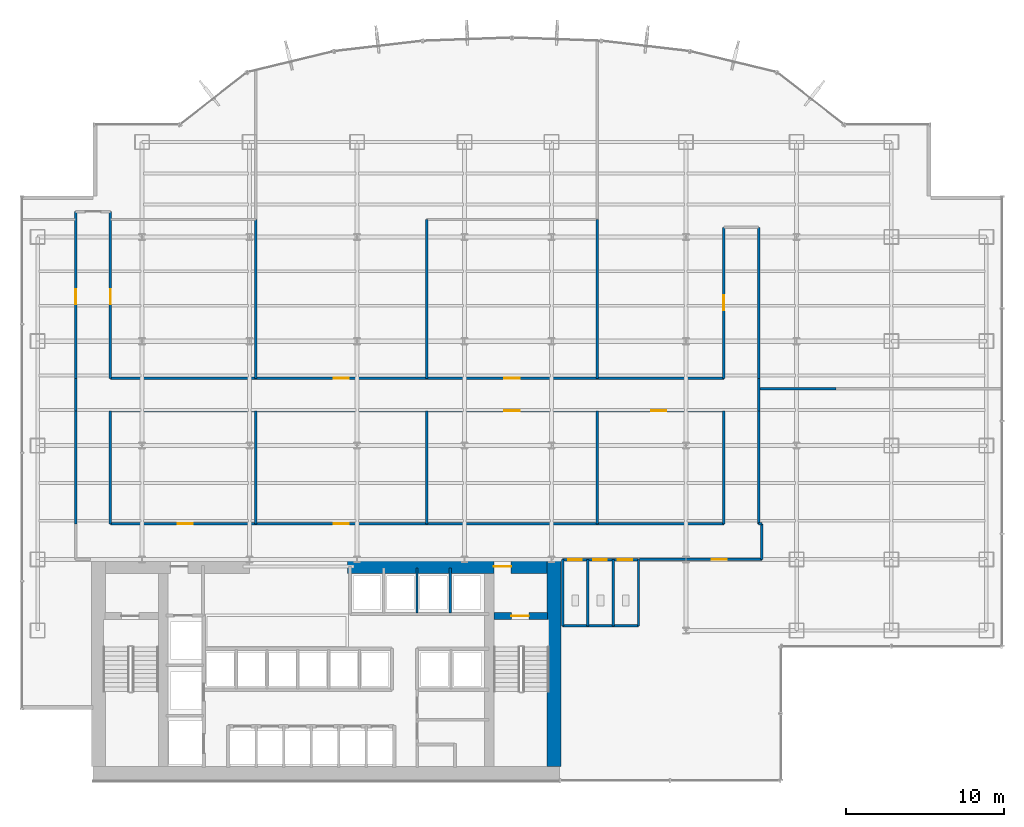
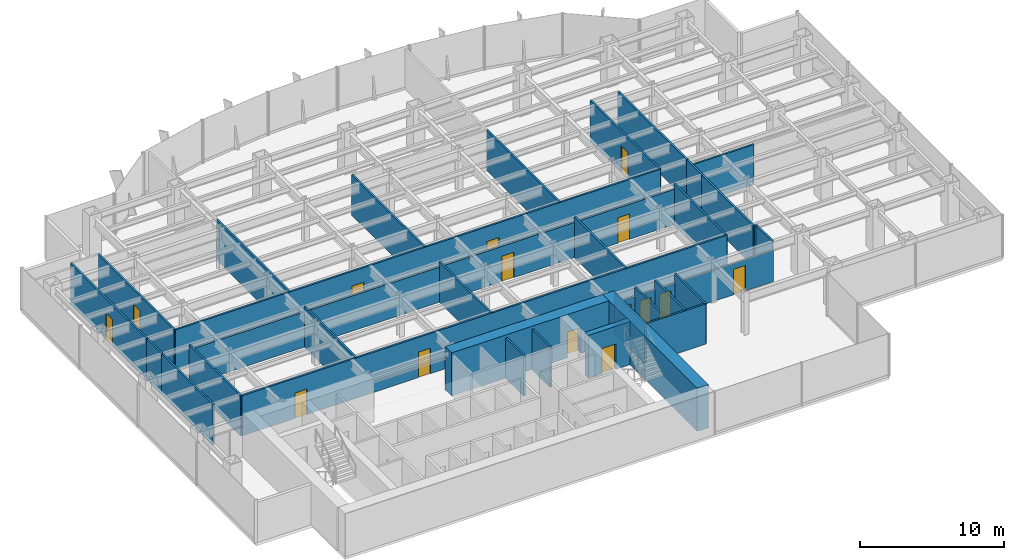
# One storey, part 18 of 22: 34 walls, 15 doors, 15 openings.
"""IFC4 building model written with IfcOpenShell, lengths in metres."""

from ifc_helpers import new_model, si_unit, derived_unit, direction, frame, frame_2d, origin, place, context, subcontext, project, spatial, rectangle, extrude, source, transform, mapped, material, layer, layer_set, type_object, element, fill, save


model = new_model("IFC4")

# Units and contexts
model_context = context("Model", 3, precision=1e-05, world=origin(), true_north=direction((0.0, 1.0)))
body_context = subcontext(model_context, "Body", "Model", "MODEL_VIEW")
ifc_project = project(units=[si_unit("LENGTHUNIT", "METRE"), si_unit("AREAUNIT", "SQUARE_METRE"), si_unit("VOLUMEUNIT", "CUBIC_METRE"), si_unit("PLANEANGLEUNIT", "RADIAN"), si_unit("MASSUNIT", "GRAM", prefix="KILO"), derived_unit("THERMALTRANSMITTANCEUNIT", [(si_unit("POWERUNIT", "WATT"), 1), (si_unit("LENGTHUNIT", "METRE"), -2), (si_unit("THERMODYNAMICTEMPERATUREUNIT", "KELVIN"), -1)])], contexts=[model_context])

# Site, building, storey
site_placement = place(None, origin())
site = spatial("IfcSite", under=ifc_project, at=site_placement, CompositionType="ELEMENT")
building_placement = place(site_placement, origin())
building = spatial("IfcBuilding", under=site, at=building_placement, Name="Skarnbrae Concourse Arena and Tower", CompositionType="ELEMENT")
storey_placement = place(building_placement, frame((0.0, 0.0, 32.5)))
storey = spatial("IfcBuildingStorey", under=building, at=storey_placement, Name="L06", CompositionType="ELEMENT", Elevation=32.5)

# Wall
ifc_material_1 = material(Name="Concrete 70 MPa (C70/85)", Category="concrete")
ifc_layer_1 = layer(ifc_material_1, 0.89990234375)
ifc_layer_set_1 = layer_set([ifc_layer_1], Name="Concrete 70 MPa (C70/85)")
wall_type_1 = type_object("IfcWallType", Name="WALL-CORE-900-C70", PredefinedType="SHEAR", material=ifc_layer_set_1)
shared_shape_1 = source(origin(), body_context, "Body", "SweptSolid", [
    extrude(rectangle(XDim=13.10009765625, YDim=0.89990234375, at=frame_2d((6.550048828125, 0.0))), origin(), (0.0, 0.0, 1.0), 3.64990234375),
])
wall_1_placement = place(storey_placement, frame((33.64990234375, 0.89990234375, 0.0), z_axis=(0.0, 0.0, 1.0), x_axis=(0.0, 1.0, 0.0)))
element("IfcWall", 1, at=wall_1_placement, inside=storey, type_object=wall_type_1, Name="L06 Rear core shear wall CW-E", PredefinedType="SHEAR", context=body_context, shape_type="MappedRepresentation", body=[
    mapped(shared_shape_1, transform((0.0, 0.0, 0.0))),
])

# Wall, opening, door
shared_shape_2 = source(origin(), body_context, "Body", "SweptSolid", [
    extrude(rectangle(XDim=12.599853515625, YDim=0.89990234375, at=frame_2d((6.2998046875, 0.0))), origin(), (0.0, 0.0, 1.0), 3.64990234375),
])
wall_2_placement = place(storey_placement, frame((20.60009765625, 13.550048828125, 0.0), z_axis=(0.0, 0.0, 1.0), x_axis=(1.0, 0.0, 0.0)))
wall_2 = element("IfcWall", 2, at=wall_2_placement, inside=storey, type_object=wall_type_1, Name="L06 Rear core shear wall CW-NE", PredefinedType="SHEAR", context=body_context, shape_type="MappedRepresentation", body=[
    mapped(shared_shape_2, transform((0.0, 0.0, 0.0))),
])
opening_1_placement = place(wall_2_placement, frame((9.25, 0.0, 0.0)))
opening_1 = element("IfcOpeningElement", 3, at=opening_1_placement, cuts=wall_2, Name="Opening DT-03", PredefinedType="OPENING", context=body_context, shape_type="SweptSolid", body=[
    extrude(rectangle(XDim=1.10009765625, YDim=2.14990234375, at=frame_2d((0.550048828125, 1.074951171875))), frame((0.0, 0.4599609375, 0.0), z_axis=(0.0, -1.0, 0.0), x_axis=(1.0, 0.0, 0.0)), (0.0, 0.0, 1.0), 0.919921875),
])
ifc_material_2 = material(Name="Steel CSA G40.21 350W", Category="steel")
door_type_1 = type_object("IfcDoorType", Name="DOOR-FIRE-1100-90M", OperationType="NOTDEFINED", PredefinedType="DOOR", material=ifc_material_2)
shared_shape_3 = source(origin(), body_context, "Body", "SweptSolid", [
    extrude(rectangle(XDim=1.10009765625, YDim=2.14990234375, at=frame_2d((0.550048828125, 1.074951171875))), frame((0.0, 0.02490234375, 0.0), z_axis=(0.0, -1.0, 0.0), x_axis=(1.0, 0.0, 0.0)), (0.0, 0.0, 1.0), 0.050048828125),
])
door_1_placement = place(opening_1_placement, origin())
door_1 = element("IfcDoor", 4, at=door_1_placement, inside=storey, type_object=door_type_1, Name="D-0331 Stair ST-2 Vestibule Door", OperationType="SINGLE_SWING_LEFT", OverallHeight=2.14990234375, OverallWidth=1.10009765625, PredefinedType="DOOR", context=body_context, shape_type="MappedRepresentation", body=[
    mapped(shared_shape_3, transform((0.0, 0.0, 0.0))),
])
fill(opening_1, door_1)

ifc_material_3 = material(Name="Concrete 50 MPa (C50/60)", Category="concrete")
ifc_layer_2 = layer(ifc_material_3, 0.449951171875)
ifc_layer_set_2 = layer_set([ifc_layer_2], Name="Concrete 50 MPa (C50/60)")
wall_type_2 = type_object("IfcWallType", Name="WALL-CORE-450-C50", PredefinedType="SHEAR", material=ifc_layer_set_2)
shared_shape_4 = source(origin(), body_context, "Body", "SweptSolid", [
    extrude(rectangle(XDim=3.389892578125, YDim=0.449951171875, at=frame_2d((1.69482421875, 0.0))), origin(), (0.0, 0.0, 1.0), 3.64990234375),
])
wall_3_placement = place(storey_placement, frame((29.860107421875, 10.419921875, 0.0), z_axis=(0.0, 0.0, 1.0), x_axis=(1.0, 0.0, 0.0)))
wall_3 = element("IfcWall", 5, at=wall_3_placement, inside=storey, type_object=wall_type_2, Name="L06 Rear core shear wall CW-ST2-N", PredefinedType="SHEAR", context=body_context, shape_type="MappedRepresentation", body=[
    mapped(shared_shape_4, transform((0.0, 0.0, 0.0))),
])
opening_2_placement = place(wall_3_placement, frame((1.10009765625, 0.0, 0.0)))
opening_2 = element("IfcOpeningElement", 6, at=opening_2_placement, cuts=wall_3, Name="Opening DT-03", PredefinedType="OPENING", context=body_context, shape_type="SweptSolid", body=[
    extrude(rectangle(XDim=1.10009765625, YDim=2.14990234375, at=frame_2d((0.550048828125, 1.074951171875))), frame((0.0, 0.23486328125, 0.0), z_axis=(0.0, -1.0, 0.0), x_axis=(1.0, 0.0, 0.0)), (0.0, 0.0, 1.0), 0.469970703125),
])
door_2_placement = place(opening_2_placement, frame((1.10009765625, 0.0, 0.0), z_axis=(0.0, 0.0, 1.0), x_axis=(-1.0, 0.0, 0.0)))
door_2 = element("IfcDoor", 7, at=door_2_placement, inside=storey, type_object=door_type_1, Name="D-0329 Stair ST-2 Door", OperationType="SINGLE_SWING_RIGHT", OverallHeight=2.14990234375, OverallWidth=1.10009765625, PredefinedType="DOOR", context=body_context, shape_type="MappedRepresentation", body=[
    mapped(shared_shape_3, transform((0.0, 0.0, 0.0))),
])
fill(opening_2, door_2)

# Walls
ifc_material_4 = material(Name="Gypsum board on cold-formed steel studs", Category="steel")
ifc_layer_3 = layer(ifc_material_4, 0.14990234375)
ifc_layer_set_3 = layer_set([ifc_layer_3], Name="Gypsum board on cold-formed steel studs")
wall_type_3 = type_object("IfcWallType", Name="WALL-PART-150", PredefinedType="PARTITIONING", material=ifc_layer_set_3)
shared_shape_5 = source(origin(), body_context, "Body", "SweptSolid", [
    extrude(rectangle(XDim=2.849853515625, YDim=0.14990234375, at=frame_2d((1.4248046875, 0.0))), origin(), (0.0, 0.0, 1.0), 3.39990234375),
])
for number, where, z_axis, x_axis, name in (
    (8, (24.989990234375, 10.60009765625, 0.0), (0.0, 0.0, 1.0), (0.0, 1.0, 0.0), "L06 Interior partition wall W-L06-B3N-P2"),
    (9, (27.090087890625, 10.60009765625, 0.0), (0.0, 0.0, 1.0), (0.0, 1.0, 0.0), "L06 Interior partition wall W-L06-B3N-P3"),
):
    element("IfcWall", number, at=place(storey_placement, frame(where, z_axis=z_axis, x_axis=x_axis)), inside=storey, type_object=wall_type_3, Name=name, PredefinedType="PARTITIONING", context=body_context, shape_type="MappedRepresentation", body=[
        mapped(shared_shape_5, transform((0.0, 0.0, 0.0))),
    ])
shared_shape_6 = source(origin(), body_context, "Body", "SweptSolid", [
    extrude(rectangle(XDim=4.89990234375, YDim=0.14990234375, at=frame_2d((2.449951171875, 0.0))), origin(), (0.0, 0.0, 1.0), 3.39990234375),
])
wall_4_placement = place(storey_placement, frame((51.5, 24.800048828125, 0.0), z_axis=(0.0, 0.0, 1.0), x_axis=(-1.0, 0.0, 0.0)))
element("IfcWall", 10, at=wall_4_placement, inside=storey, type_object=wall_type_3, Name="L06 Interior partition wall W-L06-DEM-33", PredefinedType="PARTITIONING", context=body_context, shape_type="MappedRepresentation", body=[
    mapped(shared_shape_6, transform((0.0, 0.0, 0.0))),
])

# Wall, openings, doors
shared_shape_7 = source(origin(), body_context, "Body", "SweptSolid", [
    extrude(rectangle(XDim=4.800048828125, YDim=0.14990234375, at=frame_2d((2.39990234375, 0.0))), origin(), (0.0, 0.0, 1.0), 2.625),
])
wall_5_placement = place(storey_placement, frame((34.199951171875, 13.97998046875, 0.0), z_axis=(0.0, 0.0, 1.0), x_axis=(1.0, 0.0, 0.0)))
wall_5 = element("IfcWall", 11, at=wall_5_placement, inside=storey, type_object=wall_type_3, Name="L06 Interior partition wall W-L06-WC-N", PredefinedType="PARTITIONING", context=body_context, shape_type="MappedRepresentation", body=[
    mapped(shared_shape_7, transform((0.0, 0.0, 0.0))),
])
opening_3_placement = place(wall_5_placement, frame((0.35009765625, 0.0, 0.0)))
opening_3 = element("IfcOpeningElement", 12, at=opening_3_placement, cuts=wall_5, Name="Opening DT-06", PredefinedType="OPENING", context=body_context, shape_type="SweptSolid", body=[
    extrude(rectangle(XDim=0.85009765625, YDim=2.10009765625, at=frame_2d((0.425048828125, 1.050048828125))), frame((0.0, 0.0849609375, 0.0), z_axis=(0.0, -1.0, 0.0), x_axis=(1.0, 0.0, 0.0)), (0.0, 0.0, 1.0), 0.169921875),
])
opening_4_placement = place(wall_5_placement, frame((1.949951171875, 0.0, 0.0)))
opening_4 = element("IfcOpeningElement", 13, at=opening_4_placement, cuts=wall_5, Name="Opening DT-06", PredefinedType="OPENING", context=body_context, shape_type="SweptSolid", body=[
    extrude(rectangle(XDim=0.85009765625, YDim=2.10009765625, at=frame_2d((0.425048828125, 1.050048828125))), frame((0.0, 0.0849609375, 0.0), z_axis=(0.0, -1.0, 0.0), x_axis=(1.0, 0.0, 0.0)), (0.0, 0.0, 1.0), 0.169921875),
])
opening_5_placement = place(wall_5_placement, frame((3.5, 0.0, 0.0)))
opening_5 = element("IfcOpeningElement", 14, at=opening_5_placement, cuts=wall_5, Name="Opening DT-05", PredefinedType="OPENING", context=body_context, shape_type="SweptSolid", body=[
    extrude(rectangle(XDim=0.89990234375, YDim=2.10009765625, at=frame_2d((0.449951171875, 1.050048828125))), frame((0.0, 0.0849609375, 0.0), z_axis=(0.0, -1.0, 0.0), x_axis=(1.0, 0.0, 0.0)), (0.0, 0.0, 1.0), 0.169921875),
])
ifc_material_5 = material(Name="Architectural oak veneer timber leaf", Category="wood")
door_type_2 = type_object("IfcDoorType", Name="DOOR-INT-850", OperationType="NOTDEFINED", PredefinedType="DOOR", material=ifc_material_5)
shared_shape_8 = source(origin(), body_context, "Body", "SweptSolid", [
    extrude(rectangle(XDim=0.85009765625, YDim=2.10009765625, at=frame_2d((0.425048828125, 1.050048828125))), frame((0.0, 0.02490234375, 0.0), z_axis=(0.0, -1.0, 0.0), x_axis=(1.0, 0.0, 0.0)), (0.0, 0.0, 1.0), 0.050048828125),
])
door_3_placement = place(opening_3_placement, frame((0.85009765625, 0.0, 0.0), z_axis=(0.0, 0.0, 1.0), x_axis=(-1.0, 0.0, 0.0)))
door_3 = element("IfcDoor", 15, at=door_3_placement, inside=storey, type_object=door_type_2, Name="D-0343 Male Washroom Door", OperationType="SINGLE_SWING_LEFT", OverallHeight=2.10009765625, OverallWidth=0.85009765625, PredefinedType="DOOR", context=body_context, shape_type="MappedRepresentation", body=[
    mapped(shared_shape_8, transform((0.0, 0.0, 0.0))),
])
fill(opening_3, door_3)
door_4_placement = place(opening_4_placement, frame((0.85009765625, 0.0, 0.0), z_axis=(0.0, 0.0, 1.0), x_axis=(-1.0, 0.0, 0.0)))
door_4 = element("IfcDoor", 16, at=door_4_placement, inside=storey, type_object=door_type_2, Name="D-0344 Female Washroom Door", OperationType="SINGLE_SWING_RIGHT", OverallHeight=2.10009765625, OverallWidth=0.85009765625, PredefinedType="DOOR", context=body_context, shape_type="MappedRepresentation", body=[
    mapped(shared_shape_8, transform((0.0, 0.0, 0.0))),
])
fill(opening_4, door_4)
door_type_3 = type_object("IfcDoorType", Name="DOOR-INT-900", OperationType="NOTDEFINED", PredefinedType="DOOR", material=ifc_material_5)
shared_shape_9 = source(origin(), body_context, "Body", "SweptSolid", [
    extrude(rectangle(XDim=0.89990234375, YDim=2.10009765625, at=frame_2d((0.449951171875, 1.050048828125))), frame((0.0, 0.02490234375, 0.0), z_axis=(0.0, -1.0, 0.0), x_axis=(1.0, 0.0, 0.0)), (0.0, 0.0, 1.0), 0.050048828125),
])
door_5_placement = place(opening_5_placement, frame((0.89990234375, 0.0, 0.0), z_axis=(0.0, 0.0, 1.0), x_axis=(-1.0, 0.0, 0.0)))
door_5 = element("IfcDoor", 17, at=door_5_placement, inside=storey, type_object=door_type_3, Name="D-0345 Accessible WC Door", OperationType="SINGLE_SWING_LEFT", OverallHeight=2.10009765625, OverallWidth=0.89990234375, PredefinedType="DOOR", context=body_context, shape_type="MappedRepresentation", body=[
    mapped(shared_shape_9, transform((0.0, 0.0, 0.0))),
])
fill(opening_5, door_5)

# Walls
shared_shape_10 = source(origin(), body_context, "Body", "SweptSolid", [
    extrude(rectangle(XDim=4.800048828125, YDim=0.14990234375, at=frame_2d((2.39990234375, 0.0))), origin(), (0.0, 0.0, 1.0), 3.39990234375),
])
wall_6_placement = place(storey_placement, frame((34.199951171875, 9.800048828125, 0.0), z_axis=(0.0, 0.0, 1.0), x_axis=(1.0, 0.0, 0.0)))
element("IfcWall", 18, at=wall_6_placement, inside=storey, type_object=wall_type_3, Name="L06 Interior partition wall W-L06-WC-S", PredefinedType="PARTITIONING", context=body_context, shape_type="MappedRepresentation", body=[
    mapped(shared_shape_10, transform((0.0, 0.0, 0.0))),
])
shared_shape_11 = source(origin(), body_context, "Body", "SweptSolid", [
    extrude(rectangle(XDim=4.179931640625, YDim=0.14990234375, at=frame_2d((2.08984375, 0.0))), origin(), (0.0, 0.0, 1.0), 3.39990234375),
])
for number, where, z_axis, x_axis, name in (
    (19, (39.0, 9.800048828125, 0.0), (0.0, 0.0, 1.0), (0.0, 1.0, 0.0), "L06 Interior partition wall W-L06-WC-E"),
    (20, (34.199951171875, 9.800048828125, 0.0), (0.0, 0.0, 1.0), (0.0, 1.0, 0.0), "L06 Interior partition wall W-L06-WC-W"),
    (21, (35.800048828125, 9.800048828125, 0.0), (0.0, 0.0, 1.0), (0.0, 1.0, 0.0), "L06 Interior partition wall W-L06-WC-D1"),
    (22, (37.39990234375, 9.800048828125, 0.0), (0.0, 0.0, 1.0), (0.0, 1.0, 0.0), "L06 Interior partition wall W-L06-WC-D2"),
):
    element("IfcWall", number, at=place(storey_placement, frame(where, z_axis=z_axis, x_axis=x_axis)), inside=storey, type_object=wall_type_3, Name=name, PredefinedType="PARTITIONING", context=body_context, shape_type="MappedRepresentation", body=[
        mapped(shared_shape_11, transform((0.0, 0.0, 0.0))),
    ])
ifc_layer_4 = layer(ifc_material_4, 0.14990234375)
ifc_layer_set_4 = layer_set([ifc_layer_4], Name="Gypsum board on cold-formed steel studs")
wall_type_4 = type_object("IfcWallType", Name="WALL-PART-150-1HR", PredefinedType="PARTITIONING", material=ifc_layer_set_4)
shared_shape_12 = source(origin(), body_context, "Body", "SweptSolid", [
    extrude(rectangle(XDim=2.25, YDim=0.14990234375, at=frame_2d((1.125, 0.0))), origin(), (0.0, 0.0, 1.0), 3.39990234375),
])
wall_7_placement = place(storey_placement, frame((46.800048828125, 16.25, 0.0), z_axis=(0.0, 0.0, 1.0), x_axis=(0.0, -1.0, 0.0)))
element("IfcWall", 23, at=wall_7_placement, inside=storey, type_object=wall_type_4, Name="L06 Interior partition wall W-L06-COR-15", PredefinedType="PARTITIONING", context=body_context, shape_type="MappedRepresentation", body=[
    mapped(shared_shape_12, transform((0.0, 0.0, 0.0))),
])
shared_shape_13 = source(origin(), body_context, "Body", "SweptSolid", [
    extrude(rectangle(XDim=7.14990234375, YDim=0.14990234375, at=frame_2d((3.574951171875, 0.0))), origin(), (0.0, 0.0, 1.0), 3.39990234375),
])
for number, where, z_axis, x_axis, name in (
    (24, (3.39990234375, 16.25, 0.0), (0.0, 0.0, 1.0), (0.0, 1.0, 0.0), "L06 Interior partition wall W-L06-COR-03"),
    (25, (46.60009765625, 23.39990234375, 0.0), (0.0, 0.0, 1.0), (0.0, -1.0, 0.0), "L06 Interior partition wall W-L06-COR-13"),
    (26, (44.39990234375, 16.25, 0.0), (0.0, 0.0, 1.0), (0.0, 1.0, 0.0), "L06 Interior partition wall W-L06-COR-18"),
    (27, (5.60009765625, 23.39990234375, 0.0), (0.0, 0.0, 1.0), (0.0, -1.0, 0.0), "L06 Interior partition wall W-L06-COR-20"),
):
    element("IfcWall", number, at=place(storey_placement, frame(where, z_axis=z_axis, x_axis=x_axis)), inside=storey, type_object=wall_type_4, Name=name, PredefinedType="PARTITIONING", context=body_context, shape_type="MappedRepresentation", body=[
        mapped(shared_shape_13, transform((0.0, 0.0, 0.0))),
    ])
for number, where, z_axis, x_axis, name in (
    (28, (14.800048828125, 23.39990234375, 0.0), (0.0, 0.0, 1.0), (0.0, -1.0, 0.0), "L06 Interior partition wall W-L06-DEM-23"),
    (29, (25.60009765625, 23.39990234375, 0.0), (0.0, 0.0, 1.0), (0.0, -1.0, 0.0), "L06 Interior partition wall W-L06-DEM-26"),
    (30, (36.39990234375, 23.39990234375, 0.0), (0.0, 0.0, 1.0), (0.0, -1.0, 0.0), "L06 Interior partition wall W-L06-DEM-29"),
):
    element("IfcWall", number, at=place(storey_placement, frame(where, z_axis=z_axis, x_axis=x_axis)), inside=storey, type_object=wall_type_3, Name=name, PredefinedType="PARTITIONING", context=body_context, shape_type="MappedRepresentation", body=[
        mapped(shared_shape_13, transform((0.0, 0.0, 0.0))),
    ])
shared_shape_14 = source(origin(), body_context, "Body", "SweptSolid", [
    extrude(rectangle(XDim=2.050048828125, YDim=0.14990234375, at=frame_2d((1.02490234375, 0.0))), origin(), (0.0, 0.0, 1.0), 3.39990234375),
])
for number, where, z_axis, x_axis, name in (
    (31, (3.39990234375, 23.39990234375, 0.0), (0.0, 0.0, 1.0), (0.0, 1.0, 0.0), "L06 Interior partition wall W-L06-COR-04"),
    (32, (46.60009765625, 25.449951171875, 0.0), (0.0, 0.0, 1.0), (0.0, -1.0, 0.0), "L06 Interior partition wall W-L06-COR-12"),
):
    element("IfcWall", number, at=place(storey_placement, frame(where, z_axis=z_axis, x_axis=x_axis)), inside=storey, type_object=wall_type_4, Name=name, PredefinedType="PARTITIONING", context=body_context, shape_type="MappedRepresentation", body=[
        mapped(shared_shape_14, transform((0.0, 0.0, 0.0))),
    ])

# Wall, opening, door
shared_shape_15 = source(origin(), body_context, "Body", "SweptSolid", [
    extrude(rectangle(XDim=10.550048828125, YDim=0.14990234375, at=frame_2d((5.27490234375, 0.0))), origin(), (0.0, 0.0, 1.0), 3.39990234375),
])
wall_8_placement = place(storey_placement, frame((3.39990234375, 25.449951171875, 0.0), z_axis=(0.0, 0.0, 1.0), x_axis=(0.0, 1.0, 0.0)))
wall_8 = element("IfcWall", 33, at=wall_8_placement, inside=storey, type_object=wall_type_4, Name="L06 Interior partition wall W-L06-COR-05", PredefinedType="PARTITIONING", context=body_context, shape_type="MappedRepresentation", body=[
    mapped(shared_shape_15, transform((0.0, 0.0, 0.0))),
])
opening_6_placement = place(wall_8_placement, frame((4.679931640625, 0.0, 0.0)))
opening_6 = element("IfcOpeningElement", 34, at=opening_6_placement, cuts=wall_8, Name="Opening DT-04", PredefinedType="OPENING", context=body_context, shape_type="SweptSolid", body=[
    extrude(rectangle(XDim=0.949951171875, YDim=2.14990234375, at=frame_2d((0.47509765625, 1.074951171875))), frame((0.0, 0.0849609375, 0.0), z_axis=(0.0, -1.0, 0.0), x_axis=(1.0, 0.0, 0.0)), (0.0, 0.0, 1.0), 0.169921875),
])
door_type_4 = type_object("IfcDoorType", Name="DOOR-INT-950-45M", OperationType="NOTDEFINED", PredefinedType="DOOR", material=ifc_material_2)
shared_shape_16 = source(origin(), body_context, "Body", "SweptSolid", [
    extrude(rectangle(XDim=0.949951171875, YDim=2.14990234375, at=frame_2d((0.47509765625, 1.074951171875))), frame((0.0, 0.02490234375, 0.0), z_axis=(0.0, -1.0, 0.0), x_axis=(1.0, 0.0, 0.0)), (0.0, 0.0, 1.0), 0.050048828125),
])
door_6_placement = place(opening_6_placement, origin())
door_6 = element("IfcDoor", 35, at=door_6_placement, inside=storey, type_object=door_type_4, Name="D-0346 L06 Suite Door 01", OperationType="SINGLE_SWING_RIGHT", OverallHeight=2.14990234375, OverallWidth=0.949951171875, PredefinedType="DOOR", context=body_context, shape_type="MappedRepresentation", body=[
    mapped(shared_shape_16, transform((0.0, 0.0, 0.0))),
])
fill(opening_6, door_6)

wall_9_placement = place(storey_placement, frame((5.60009765625, 36.0, 0.0), z_axis=(0.0, 0.0, 1.0), x_axis=(0.0, -1.0, 0.0)))
wall_9 = element("IfcWall", 36, at=wall_9_placement, inside=storey, type_object=wall_type_4, Name="L06 Interior partition wall W-L06-COR-07", PredefinedType="PARTITIONING", context=body_context, shape_type="MappedRepresentation", body=[
    mapped(shared_shape_15, transform((0.0, 0.0, 0.0))),
])
opening_7_placement = place(wall_9_placement, frame((4.919921875, 0.0, 0.0)))
opening_7 = element("IfcOpeningElement", 37, at=opening_7_placement, cuts=wall_9, Name="Opening DT-04", PredefinedType="OPENING", context=body_context, shape_type="SweptSolid", body=[
    extrude(rectangle(XDim=0.949951171875, YDim=2.14990234375, at=frame_2d((0.47509765625, 1.074951171875))), frame((0.0, 0.0849609375, 0.0), z_axis=(0.0, -1.0, 0.0), x_axis=(1.0, 0.0, 0.0)), (0.0, 0.0, 1.0), 0.169921875),
])
door_7_placement = place(opening_7_placement, origin())
door_7 = element("IfcDoor", 38, at=door_7_placement, inside=storey, type_object=door_type_4, Name="D-0349 L06 Suite Door 04", OperationType="SINGLE_SWING_LEFT", OverallHeight=2.14990234375, OverallWidth=0.949951171875, PredefinedType="DOOR", context=body_context, shape_type="MappedRepresentation", body=[
    mapped(shared_shape_16, transform((0.0, 0.0, 0.0))),
])
fill(opening_7, door_7)

# Wall, openings, doors
shared_shape_17 = source(origin(), body_context, "Body", "SweptSolid", [
    extrude(rectangle(XDim=38.7998046875, YDim=0.14990234375, at=frame_2d((19.39990234375, 0.0))), origin(), (0.0, 0.0, 1.0), 3.39990234375),
])
wall_10_placement = place(storey_placement, frame((5.60009765625, 25.449951171875, 0.0), z_axis=(0.0, 0.0, 1.0), x_axis=(1.0, 0.0, 0.0)))
wall_10 = element("IfcWall", 39, at=wall_10_placement, inside=storey, type_object=wall_type_4, Name="L06 Interior partition wall W-L06-COR-08", PredefinedType="PARTITIONING", context=body_context, shape_type="MappedRepresentation", body=[
    mapped(shared_shape_17, transform((0.0, 0.0, 0.0))),
])
opening_8_placement = place(wall_10_placement, frame((14.125, 0.0, 0.0)))
opening_8 = element("IfcOpeningElement", 40, at=opening_8_placement, cuts=wall_10, Name="Opening DT-04", PredefinedType="OPENING", context=body_context, shape_type="SweptSolid", body=[
    extrude(rectangle(XDim=0.949951171875, YDim=2.14990234375, at=frame_2d((0.47509765625, 1.074951171875))), frame((0.0, 0.0849609375, 0.0), z_axis=(0.0, -1.0, 0.0), x_axis=(1.0, 0.0, 0.0)), (0.0, 0.0, 1.0), 0.169921875),
])
opening_9_placement = place(wall_10_placement, frame((24.925048828125, 0.0, 0.0)))
opening_9 = element("IfcOpeningElement", 41, at=opening_9_placement, cuts=wall_10, Name="Opening DT-04", PredefinedType="OPENING", context=body_context, shape_type="SweptSolid", body=[
    extrude(rectangle(XDim=0.949951171875, YDim=2.14990234375, at=frame_2d((0.47509765625, 1.074951171875))), frame((0.0, 0.0849609375, 0.0), z_axis=(0.0, -1.0, 0.0), x_axis=(1.0, 0.0, 0.0)), (0.0, 0.0, 1.0), 0.169921875),
])
door_8_placement = place(opening_8_placement, origin())
door_8 = element("IfcDoor", 42, at=door_8_placement, inside=storey, type_object=door_type_4, Name="D-0351 L06 Suite Door 06", OperationType="SINGLE_SWING_LEFT", OverallHeight=2.14990234375, OverallWidth=0.949951171875, PredefinedType="DOOR", context=body_context, shape_type="MappedRepresentation", body=[
    mapped(shared_shape_16, transform((0.0, 0.0, 0.0))),
])
fill(opening_8, door_8)
door_9_placement = place(opening_9_placement, origin())
door_9 = element("IfcDoor", 43, at=door_9_placement, inside=storey, type_object=door_type_4, Name="D-0353 L06 Suite Door 08", OperationType="SINGLE_SWING_LEFT", OverallHeight=2.14990234375, OverallWidth=0.949951171875, PredefinedType="DOOR", context=body_context, shape_type="MappedRepresentation", body=[
    mapped(shared_shape_16, transform((0.0, 0.0, 0.0))),
])
fill(opening_9, door_9)

wall_11_placement = place(storey_placement, frame((5.60009765625, 16.25, 0.0), z_axis=(0.0, 0.0, 1.0), x_axis=(1.0, 0.0, 0.0)))
wall_11 = element("IfcWall", 44, at=wall_11_placement, inside=storey, type_object=wall_type_4, Name="L06 Interior partition wall W-L06-COR-17", PredefinedType="PARTITIONING", context=body_context, shape_type="MappedRepresentation", body=[
    mapped(shared_shape_17, transform((0.0, 0.0, 0.0))),
])
opening_10_placement = place(wall_11_placement, frame((4.2548828125, 0.0, 0.0)))
opening_10 = element("IfcOpeningElement", 45, at=opening_10_placement, cuts=wall_11, Name="Opening DT-04", PredefinedType="OPENING", context=body_context, shape_type="SweptSolid", body=[
    extrude(rectangle(XDim=0.949951171875, YDim=2.14990234375, at=frame_2d((0.47509765625, 1.074951171875))), frame((0.0, 0.0849609375, 0.0), z_axis=(0.0, -1.0, 0.0), x_axis=(1.0, 0.0, 0.0)), (0.0, 0.0, 1.0), 0.169921875),
])
opening_11_placement = place(wall_11_placement, frame((14.125, 0.0, 0.0)))
opening_11 = element("IfcOpeningElement", 46, at=opening_11_placement, cuts=wall_11, Name="Opening DT-04", PredefinedType="OPENING", context=body_context, shape_type="SweptSolid", body=[
    extrude(rectangle(XDim=0.949951171875, YDim=2.14990234375, at=frame_2d((0.47509765625, 1.074951171875))), frame((0.0, 0.0849609375, 0.0), z_axis=(0.0, -1.0, 0.0), x_axis=(1.0, 0.0, 0.0)), (0.0, 0.0, 1.0), 0.169921875),
])
door_10_placement = place(opening_10_placement, origin())
door_10 = element("IfcDoor", 47, at=door_10_placement, inside=storey, type_object=door_type_4, Name="D-0348 L06 Suite Door 03", OperationType="SINGLE_SWING_RIGHT", OverallHeight=2.14990234375, OverallWidth=0.949951171875, PredefinedType="DOOR", context=body_context, shape_type="MappedRepresentation", body=[
    mapped(shared_shape_16, transform((0.0, 0.0, 0.0))),
])
fill(opening_10, door_10)
door_11_placement = place(opening_11_placement, origin())
door_11 = element("IfcDoor", 48, at=door_11_placement, inside=storey, type_object=door_type_4, Name="D-0350 L06 Suite Door 05", OperationType="SINGLE_SWING_RIGHT", OverallHeight=2.14990234375, OverallWidth=0.949951171875, PredefinedType="DOOR", context=body_context, shape_type="MappedRepresentation", body=[
    mapped(shared_shape_16, transform((0.0, 0.0, 0.0))),
])
fill(opening_11, door_11)

# Wall, opening, door
shared_shape_18 = source(origin(), body_context, "Body", "SweptSolid", [
    extrude(rectangle(XDim=9.550048828125, YDim=0.14990234375, at=frame_2d((4.77490234375, 0.0))), origin(), (0.0, 0.0, 1.0), 3.39990234375),
])
wall_12_placement = place(storey_placement, frame((44.39990234375, 25.449951171875, 0.0), z_axis=(0.0, 0.0, 1.0), x_axis=(0.0, 1.0, 0.0)))
wall_12 = element("IfcWall", 49, at=wall_12_placement, inside=storey, type_object=wall_type_4, Name="L06 Interior partition wall W-L06-COR-09", PredefinedType="PARTITIONING", context=body_context, shape_type="MappedRepresentation", body=[
    mapped(shared_shape_18, transform((0.0, 0.0, 0.0))),
])
opening_12_placement = place(wall_12_placement, frame((4.300048828125, 0.0, 0.0)))
opening_12 = element("IfcOpeningElement", 50, at=opening_12_placement, cuts=wall_12, Name="Opening DT-04", PredefinedType="OPENING", context=body_context, shape_type="SweptSolid", body=[
    extrude(rectangle(XDim=0.949951171875, YDim=2.14990234375, at=frame_2d((0.47509765625, 1.074951171875))), frame((0.0, 0.0849609375, 0.0), z_axis=(0.0, -1.0, 0.0), x_axis=(1.0, 0.0, 0.0)), (0.0, 0.0, 1.0), 0.169921875),
])
door_12_placement = place(opening_12_placement, origin())
door_12 = element("IfcDoor", 51, at=door_12_placement, inside=storey, type_object=door_type_4, Name="D-0355 L06 Suite Door 10", OperationType="SINGLE_SWING_LEFT", OverallHeight=2.14990234375, OverallWidth=0.949951171875, PredefinedType="DOOR", context=body_context, shape_type="MappedRepresentation", body=[
    mapped(shared_shape_16, transform((0.0, 0.0, 0.0))),
])
fill(opening_12, door_12)

# Walls
wall_13_placement = place(storey_placement, frame((46.60009765625, 35.0, 0.0), z_axis=(0.0, 0.0, 1.0), x_axis=(0.0, -1.0, 0.0)))
element("IfcWall", 52, at=wall_13_placement, inside=storey, type_object=wall_type_4, Name="L06 Interior partition wall W-L06-COR-11", PredefinedType="PARTITIONING", context=body_context, shape_type="MappedRepresentation", body=[
    mapped(shared_shape_18, transform((0.0, 0.0, 0.0))),
])
shared_shape_19 = source(origin(), body_context, "Body", "SweptSolid", [
    extrude(rectangle(XDim=0.199951171875, YDim=0.14990234375, at=frame_2d((0.10009765625, 0.0))), origin(), (0.0, 0.0, 1.0), 3.39990234375),
])
wall_14_placement = place(storey_placement, frame((46.60009765625, 16.25, 0.0), z_axis=(0.0, 0.0, 1.0), x_axis=(1.0, 0.0, 0.0)))
element("IfcWall", 53, at=wall_14_placement, inside=storey, type_object=wall_type_4, Name="L06 Interior partition wall W-L06-COR-14", PredefinedType="PARTITIONING", context=body_context, shape_type="MappedRepresentation", body=[
    mapped(shared_shape_19, transform((0.0, 0.0, 0.0))),
])

# Wall, opening, door
shared_shape_20 = source(origin(), body_context, "Body", "SweptSolid", [
    extrude(rectangle(XDim=7.75, YDim=0.14990234375, at=frame_2d((3.875, 0.0))), origin(), (0.0, 0.0, 1.0), 2.625),
])
wall_15_placement = place(storey_placement, frame((46.800048828125, 14.0, 0.0), z_axis=(0.0, 0.0, 1.0), x_axis=(-1.0, 0.0, 0.0)))
wall_15 = element("IfcWall", 54, at=wall_15_placement, inside=storey, type_object=wall_type_4, Name="L06 Interior partition wall W-L06-COR-16", PredefinedType="PARTITIONING", context=body_context, shape_type="MappedRepresentation", body=[
    mapped(shared_shape_20, transform((0.0, 0.0, 0.0))),
])
opening_13_placement = place(wall_15_placement, frame((2.22607421875, 0.0, 0.0)))
opening_13 = element("IfcOpeningElement", 55, at=opening_13_placement, cuts=wall_15, Name="Opening DT-04", PredefinedType="OPENING", context=body_context, shape_type="SweptSolid", body=[
    extrude(rectangle(XDim=0.949951171875, YDim=2.14990234375, at=frame_2d((0.47509765625, 1.074951171875))), frame((0.0, 0.0849609375, 0.0), z_axis=(0.0, -1.0, 0.0), x_axis=(1.0, 0.0, 0.0)), (0.0, 0.0, 1.0), 0.169921875),
])
door_13_placement = place(opening_13_placement, origin())
door_13 = element("IfcDoor", 56, at=door_13_placement, inside=storey, type_object=door_type_4, Name="D-0356 L06 Suite Door 11", OperationType="SINGLE_SWING_RIGHT", OverallHeight=2.14990234375, OverallWidth=0.949951171875, PredefinedType="DOOR", context=body_context, shape_type="MappedRepresentation", body=[
    mapped(shared_shape_16, transform((0.0, 0.0, 0.0))),
])
fill(opening_13, door_13)

# Wall, openings, doors
shared_shape_21 = source(origin(), body_context, "Body", "SweptSolid", [
    extrude(rectangle(XDim=38.7998046875, YDim=0.14990234375, at=frame_2d((19.39990234375, 0.0))), origin(), (0.0, 0.0, 1.0), 2.97802734375),
])
wall_16_placement = place(storey_placement, frame((44.39990234375, 23.39990234375, 0.0), z_axis=(0.0, 0.0, 1.0), x_axis=(-1.0, 0.0, 0.0)))
wall_16 = element("IfcWall", 57, at=wall_16_placement, inside=storey, type_object=wall_type_4, Name="L06 Interior partition wall W-L06-COR-19", PredefinedType="PARTITIONING", context=body_context, shape_type="MappedRepresentation", body=[
    mapped(shared_shape_21, transform((0.0, 0.0, 0.0))),
])
opening_14_placement = place(wall_16_placement, frame((12.925048828125, 0.0, 0.0)))
opening_14 = element("IfcOpeningElement", 58, at=opening_14_placement, cuts=wall_16, Name="Opening DT-04", PredefinedType="OPENING", context=body_context, shape_type="SweptSolid", body=[
    extrude(rectangle(XDim=0.949951171875, YDim=2.14990234375, at=frame_2d((0.47509765625, 1.074951171875))), frame((0.0, 0.0849609375, 0.0), z_axis=(0.0, -1.0, 0.0), x_axis=(1.0, 0.0, 0.0)), (0.0, 0.0, 1.0), 0.169921875),
])
opening_15_placement = place(wall_16_placement, frame((3.655029296875, 0.0, 0.0)))
opening_15 = element("IfcOpeningElement", 59, at=opening_15_placement, cuts=wall_16, Name="Opening DT-04", PredefinedType="OPENING", context=body_context, shape_type="SweptSolid", body=[
    extrude(rectangle(XDim=0.949951171875, YDim=2.14990234375, at=frame_2d((0.47509765625, 1.074951171875))), frame((0.0, 0.0849609375, 0.0), z_axis=(0.0, -1.0, 0.0), x_axis=(1.0, 0.0, 0.0)), (0.0, 0.0, 1.0), 0.169921875),
])
door_14_placement = place(opening_14_placement, origin())
door_14 = element("IfcDoor", 60, at=door_14_placement, inside=storey, type_object=door_type_4, Name="D-0352 L06 Suite Door 07", OperationType="SINGLE_SWING_RIGHT", OverallHeight=2.14990234375, OverallWidth=0.949951171875, PredefinedType="DOOR", context=body_context, shape_type="MappedRepresentation", body=[
    mapped(shared_shape_16, transform((0.0, 0.0, 0.0))),
])
fill(opening_14, door_14)
door_15_placement = place(opening_15_placement, origin())
door_15 = element("IfcDoor", 61, at=door_15_placement, inside=storey, type_object=door_type_4, Name="D-0354 L06 Suite Door 09", OperationType="SINGLE_SWING_RIGHT", OverallHeight=2.14990234375, OverallWidth=0.949951171875, PredefinedType="DOOR", context=body_context, shape_type="MappedRepresentation", body=[
    mapped(shared_shape_16, transform((0.0, 0.0, 0.0))),
])
fill(opening_15, door_15)

# Walls
shared_shape_22 = source(origin(), body_context, "Body", "SweptSolid", [
    extrude(rectangle(XDim=10.050048828125, YDim=0.14990234375, at=frame_2d((5.02490234375, 0.0))), origin(), (0.0, 0.0, 1.0), 3.39990234375),
])
for number, where, z_axis, x_axis, name in (
    (62, (14.800048828125, 35.5, 0.0), (0.0, 0.0, 1.0), (0.0, -1.0, 0.0), "L06 Interior partition wall W-L06-DEM-24"),
    (63, (25.60009765625, 35.5, 0.0), (0.0, 0.0, 1.0), (0.0, -1.0, 0.0), "L06 Interior partition wall W-L06-DEM-28"),
    (64, (36.39990234375, 35.5, 0.0), (0.0, 0.0, 1.0), (0.0, -1.0, 0.0), "L06 Interior partition wall W-L06-DEM-30"),
):
    element("IfcWall", number, at=place(storey_placement, frame(where, z_axis=z_axis, x_axis=x_axis)), inside=storey, type_object=wall_type_3, Name=name, PredefinedType="PARTITIONING", context=body_context, shape_type="MappedRepresentation", body=[
        mapped(shared_shape_22, transform((0.0, 0.0, 0.0))),
    ])

save(model, "model.ifc")
